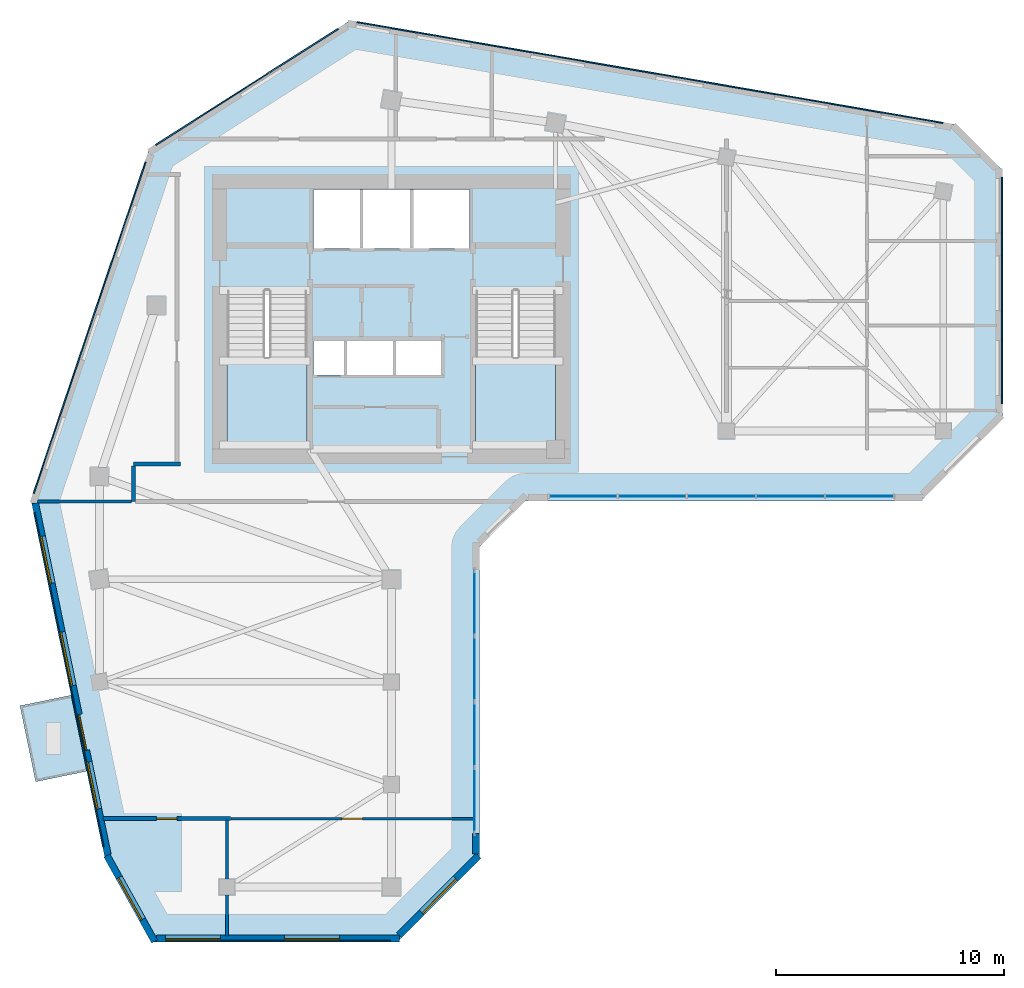
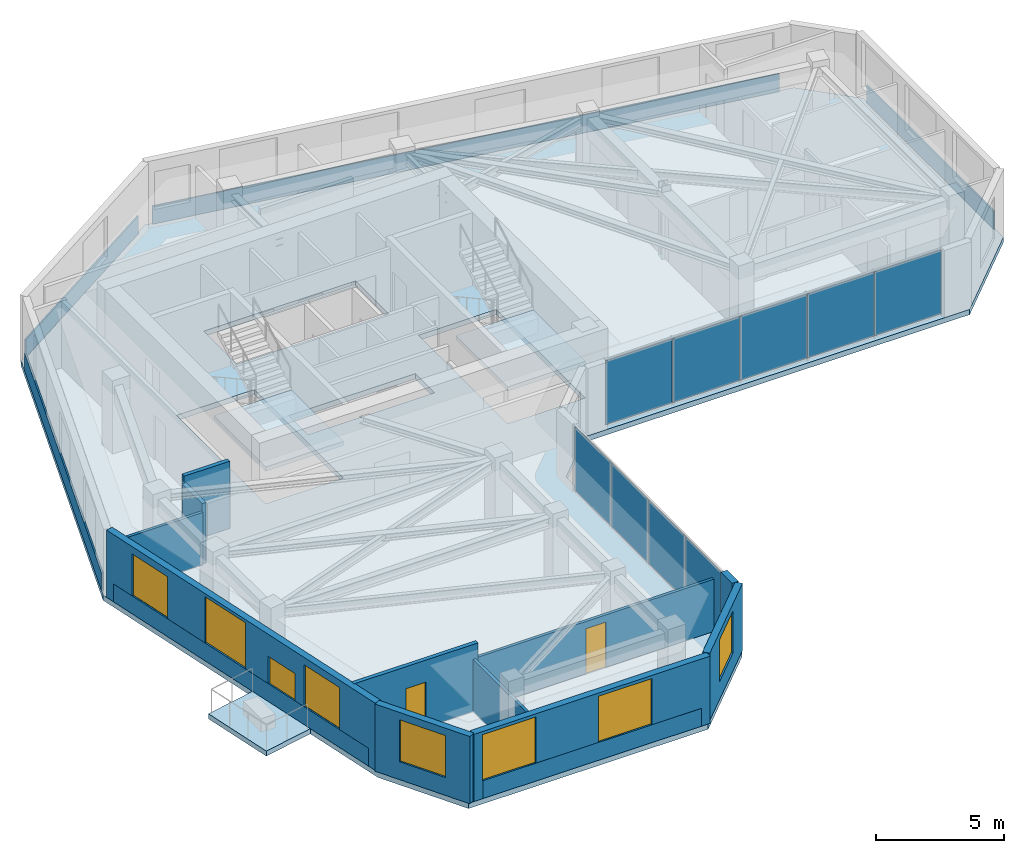
# One storey, part 4 of 10: 15 plates, 11 walls, 7 windows, 4 slabs, 3 doors, 10 openings, 4 elements without a shape of their own.
"""IFC4 building model written with IfcOpenShell, lengths in metres."""

from ifc_helpers import new_model, si_unit, direction, frame, frame_2d, origin, place, context, subcontext, project, spatial, polyline, rectangle, outline, extrude, source, transform, mapped, material, layer, layer_set, type_object, element, fill, aggregate, save


model = new_model("IFC4")

# Units and contexts
model_context = context("Model", 3, precision=1e-05, world=origin(), true_north=direction((0.0, 1.0)))
body_context = subcontext(model_context, "Body", "Model", "MODEL_VIEW")
ifc_project = project(units=[si_unit("LENGTHUNIT", "METRE"), si_unit("AREAUNIT", "SQUARE_METRE"), si_unit("VOLUMEUNIT", "CUBIC_METRE"), si_unit("PLANEANGLEUNIT", "RADIAN"), si_unit("MASSUNIT", "GRAM", prefix="KILO")], contexts=[model_context])

# Site, building, storey
site_placement = place(None, origin())
site = spatial("IfcSite", under=ifc_project, at=site_placement, CompositionType="ELEMENT")
building_placement = place(site_placement, origin())
building = spatial("IfcBuilding", under=site, at=building_placement, Name="Calvemar Wedge Station Tower", CompositionType="ELEMENT")
storey_placement = place(building_placement, frame((0.0, 0.0, 207.89990234375)))
storey = spatial("IfcBuildingStorey", under=building, at=storey_placement, Name="L52", CompositionType="ELEMENT", Elevation=207.89990234375)

# Curtain wall, plates
ifc_material_1 = material(Name="Anodised aluminium 6063-T6", Category="aluminium")
curtain_wall_type = type_object("IfcCurtainWallType", Name="CW3", PredefinedType="NOTDEFINED", material=ifc_material_1)
curtain_wall_1_placement = place(storey_placement, origin())
curtain_wall_1 = element("IfcCurtainWall", 1, at=curtain_wall_1_placement, inside=storey, type_object=curtain_wall_type, Name="Storey L52 CW3 Recessed Unitised Curtain Wall 4", PredefinedType="NOTDEFINED")
ifc_material_2 = material(Name="Low-E laminated insulated glass", Category="glass")
ifc_layer_1 = layer(ifc_material_2, 0.028076171875)
ifc_layer_set_1 = layer_set([ifc_layer_1], Name="Low-E laminated insulated glass")
plate_type_1 = type_object("IfcPlateType", Name="CW3-GLZ", PredefinedType="CURTAIN_PANEL", material=ifc_layer_set_1)
plate_1_placement = place(storey_placement, frame((27.4541015625, 17.380126953125, 0.080078125), z_axis=(0.0, 0.0, 1.0), x_axis=(0.0, 1.0, 0.0)))
plate_1 = element("IfcPlate", 2, at=plate_1_placement, type_object=plate_type_1, Name="CW3 glass panel 1", PredefinedType="CURTAIN_PANEL", context=body_context, shape_type="SweptSolid", body=[
    extrude(rectangle(XDim=2.844970703125, YDim=0.028076171875, at=frame_2d((1.42236328125, 0.0))), origin(), (0.0, 0.0, 1.0), 3.0400390625),
])
plate_2_placement = place(storey_placement, frame((27.4541015625, 20.260986328125, 0.080078125), z_axis=(0.0, 0.0, 1.0), x_axis=(0.0, 1.0, 0.0)))
plate_2 = element("IfcPlate", 3, at=plate_2_placement, type_object=plate_type_1, Name="CW3 glass panel 2", PredefinedType="CURTAIN_PANEL", context=body_context, shape_type="SweptSolid", body=[
    extrude(rectangle(XDim=2.84521484375, YDim=0.028076171875, at=frame_2d((1.422607421875, 0.0))), origin(), (0.0, 0.0, 1.0), 3.0400390625),
])
plate_3_placement = place(storey_placement, frame((27.4541015625, 23.14208984375, 0.080078125), z_axis=(0.0, 0.0, 1.0), x_axis=(0.0, 1.0, 0.0)))
plate_3 = element("IfcPlate", 4, at=plate_3_placement, type_object=plate_type_1, Name="CW3 glass panel 3", PredefinedType="CURTAIN_PANEL", context=body_context, shape_type="SweptSolid", body=[
    extrude(rectangle(XDim=2.844970703125, YDim=0.028076171875, at=frame_2d((1.42236328125, 0.0))), origin(), (0.0, 0.0, 1.0), 3.0400390625),
])
plate_4_placement = place(storey_placement, frame((27.4541015625, 26.023193359375, 0.080078125), z_axis=(0.0, 0.0, 1.0), x_axis=(0.0, 1.0, 0.0)))
plate_4 = element("IfcPlate", 5, at=plate_4_placement, type_object=plate_type_1, Name="CW3 glass panel 4", PredefinedType="CURTAIN_PANEL", context=body_context, shape_type="SweptSolid", body=[
    extrude(rectangle(XDim=2.844970703125, YDim=0.028076171875, at=frame_2d((1.42236328125, 0.0))), origin(), (0.0, 0.0, 1.0), 3.0400390625),
])
aggregate(curtain_wall_1, [plate_1, plate_2, plate_3, plate_4])

curtain_wall_2_placement = place(storey_placement, origin())
curtain_wall_2 = element("IfcCurtainWall", 6, at=curtain_wall_2_placement, inside=storey, type_object=curtain_wall_type, Name="Storey L52 CW3 Recessed Unitised Curtain Wall 6", PredefinedType="NOTDEFINED")
plate_5_placement = place(storey_placement, frame((30.719970703125, 32.134033203125, 0.080078125), z_axis=(0.0, 0.0, 1.0), x_axis=(1.0, 0.0, 0.0)))
plate_5 = element("IfcPlate", 7, at=plate_5_placement, type_object=plate_type_1, Name="CW3 glass panel 1", PredefinedType="CURTAIN_PANEL", context=body_context, shape_type="SweptSolid", body=[
    extrude(rectangle(XDim=2.9912109375, YDim=0.028076171875, at=frame_2d((1.49560546875, 0.0))), origin(), (0.0, 0.0, 1.0), 3.0400390625),
])
plate_6_placement = place(storey_placement, frame((33.7470703125, 32.134033203125, 0.080078125), z_axis=(0.0, 0.0, 1.0), x_axis=(1.0, 0.0, 0.0)))
plate_6 = element("IfcPlate", 8, at=plate_6_placement, type_object=plate_type_1, Name="CW3 glass panel 2", PredefinedType="CURTAIN_PANEL", context=body_context, shape_type="SweptSolid", body=[
    extrude(rectangle(XDim=2.9912109375, YDim=0.028076171875, at=frame_2d((1.49560546875, 0.0))), origin(), (0.0, 0.0, 1.0), 3.0400390625),
])
plate_7_placement = place(storey_placement, frame((36.7744140625, 32.134033203125, 0.080078125), z_axis=(0.0, 0.0, 1.0), x_axis=(1.0, 0.0, 0.0)))
plate_7 = element("IfcPlate", 9, at=plate_7_placement, type_object=plate_type_1, Name="CW3 glass panel 3", PredefinedType="CURTAIN_PANEL", context=body_context, shape_type="SweptSolid", body=[
    extrude(rectangle(XDim=2.990966796875, YDim=0.028076171875, at=frame_2d((1.49560546875, 0.0))), origin(), (0.0, 0.0, 1.0), 3.0400390625),
])
plate_8_placement = place(storey_placement, frame((39.801513671875, 32.134033203125, 0.080078125), z_axis=(0.0, 0.0, 1.0), x_axis=(1.0, 0.0, 0.0)))
plate_8 = element("IfcPlate", 10, at=plate_8_placement, type_object=plate_type_1, Name="CW3 glass panel 4", PredefinedType="CURTAIN_PANEL", context=body_context, shape_type="SweptSolid", body=[
    extrude(rectangle(XDim=2.9912109375, YDim=0.028076171875, at=frame_2d((1.49560546875, 0.0))), origin(), (0.0, 0.0, 1.0), 3.0400390625),
])
plate_9_placement = place(storey_placement, frame((42.82861328125, 32.134033203125, 0.080078125), z_axis=(0.0, 0.0, 1.0), x_axis=(1.0, 0.0, 0.0)))
plate_9 = element("IfcPlate", 11, at=plate_9_placement, type_object=plate_type_1, Name="CW3 glass panel 5", PredefinedType="CURTAIN_PANEL", context=body_context, shape_type="SweptSolid", body=[
    extrude(rectangle(XDim=2.9912109375, YDim=0.028076171875, at=frame_2d((1.49560546875, 0.0))), origin(), (0.0, 0.0, 1.0), 3.0400390625),
])
aggregate(curtain_wall_2, [plate_5, plate_6, plate_7, plate_8, plate_9])

# Plates
ifc_material_3 = material(Name="Precast concrete C45", Category="concrete")
ifc_layer_2 = layer(ifc_material_3, 0.06494140625)
ifc_layer_set_2 = layer_set([ifc_layer_2], Name="Precast concrete C45")
plate_type_2 = type_object("IfcPlateType", Name="PL-GFRC-FIN", PredefinedType="USERDEFINED", material=ifc_layer_set_2)
plate_10_placement = place(storey_placement, frame((13.91015625, 12.6298828125, 0.0), z_axis=(0.0, 0.0, 1.0), x_axis=(1.0, 0.0, 0.0)))
element("IfcPlate", 12, at=plate_10_placement, inside=storey, type_object=plate_type_2, Name="Storey L52 Oxidized-Bronze GFRC Spandrel Cladding 2", ObjectType="CLADDING PANEL", PredefinedType="USERDEFINED", context=body_context, shape_type="SweptSolid", body=[
    extrude(rectangle(XDim=9.841796875, YDim=0.06494140625, at=frame_2d((4.9208984375, 0.0))), origin(), (0.0, 0.0, 1.0), 0.85009765625),
])
plate_11_placement = place(storey_placement, frame((50.570068359375, 36.181396484375, 0.0), z_axis=(0.0, 0.0, 1.0), x_axis=(0.0, 1.0, 0.0)))
element("IfcPlate", 13, at=plate_11_placement, inside=storey, type_object=plate_type_2, Name="Storey L52 Oxidized-Bronze GFRC Spandrel Cladding 8", ObjectType="CLADDING PANEL", PredefinedType="USERDEFINED", context=body_context, shape_type="SweptSolid", body=[
    extrude(rectangle(XDim=9.930419921875, YDim=0.06494140625, at=frame_2d((4.96533203125, 0.0))), origin(), (0.0, 0.0, 1.0), 0.85009765625),
])
plate_12_placement = place(storey_placement, frame((47.9873046875, 48.4990234375, 0.0), z_axis=(0.0, 0.0, 1.0), x_axis=(-0.985523911085, 0.169536487755, 0.0)))
element("IfcPlate", 14, at=plate_12_placement, inside=storey, type_object=plate_type_2, Name="Storey L52 Oxidized-Bronze GFRC Spandrel Cladding 10", ObjectType="CLADDING PANEL", PredefinedType="USERDEFINED", context=body_context, shape_type="SweptSolid", body=[
    extrude(rectangle(XDim=26.06640625, YDim=0.06494140625, at=frame_2d((13.033203125, 0.0))), origin(), (0.0, 0.0, 1.0), 0.85009765625),
])
plate_13_placement = place(storey_placement, frame((21.472412109375, 52.62890625, 0.0), z_axis=(0.0, 0.0, 1.0), x_axis=(-0.843653007287, -0.536888818375, 0.0)))
element("IfcPlate", 15, at=plate_13_placement, inside=storey, type_object=plate_type_2, Name="Storey L52 Oxidized-Bronze GFRC Spandrel Cladding 11", ObjectType="CLADDING PANEL", PredefinedType="USERDEFINED", context=body_context, shape_type="SweptSolid", body=[
    extrude(rectangle(XDim=9.4833984375, YDim=0.06494140625, at=frame_2d((4.74169921875, 0.0))), origin(), (0.0, 0.0, 1.0), 0.85009765625),
])
plate_14_placement = place(storey_placement, frame((13.02685546875, 46.793212890625, 0.0), z_axis=(0.0, 0.0, 1.0), x_axis=(-0.319927299225, -0.947442094912, 0.0)))
element("IfcPlate", 16, at=plate_14_placement, inside=storey, type_object=plate_type_2, Name="Storey L52 Oxidized-Bronze GFRC Spandrel Cladding 12", ObjectType="CLADDING PANEL", PredefinedType="USERDEFINED", context=body_context, shape_type="SweptSolid", body=[
    extrude(rectangle(XDim=15.333251953125, YDim=0.06494140625, at=frame_2d((7.66650390625, 0.0))), origin(), (0.0, 0.0, 1.0), 0.85009765625),
])
plate_15_placement = place(storey_placement, frame((8.15087890625, 31.41796875, 0.0), z_axis=(0.0, 0.0, 1.0), x_axis=(0.202320768525, -0.979319307797, 0.0)))
element("IfcPlate", 17, at=plate_15_placement, inside=storey, type_object=plate_type_2, Name="Storey L52 Oxidized-Bronze GFRC Spandrel Cladding 13", ObjectType="CLADDING PANEL", PredefinedType="USERDEFINED", context=body_context, shape_type="SweptSolid", body=[
    extrude(rectangle(XDim=14.965576171875, YDim=0.06494140625, at=frame_2d((7.48291015625, 0.0))), origin(), (0.0, 0.0, 1.0), 0.85009765625),
])

# Stair, slab
ifc_material_4 = material(Name="Concrete C45", Category="concrete")
stair_type = type_object("IfcStairType", Name="ST-TYPE-3500", PredefinedType="HALF_TURN_STAIR", material=ifc_material_4)
stair_1_placement = place(storey_placement, origin())
stair_1 = element("IfcStair", 18, at=stair_1_placement, inside=storey, type_object=stair_type, Name="L52 Pressurized Core Exit Stair ST-C1", PredefinedType="HALF_TURN_STAIR")
ifc_layer_3 = layer(ifc_material_4, 0.199951171875)
ifc_layer_set_3 = layer_set([ifc_layer_3], Name="Concrete C45")
slab_type_1 = type_object("IfcSlabType", Name="SL-STAIR-LND-200", PredefinedType="LANDING", material=ifc_layer_set_3)
slab_1_placement = place(storey_placement, frame((0.0, 0.0, 1.550048828125)))
slab_1 = element("IfcSlab", 19, at=slab_1_placement, type_object=slab_type_1, Name="ST-C1 landing 1", PredefinedType="LANDING", context=body_context, shape_type="SweptSolid", body=[
    extrude(outline(polyline([(16.60009765625, 38.25), (16.60009765625, 34.199951171875), (20.10009765625, 34.199951171875), (20.10009765625, 38.25), (16.60009765625, 38.25)])), origin(), (0.0, 0.0, 1.0), 0.199951171875),
])
aggregate(stair_1, [slab_1])

stair_2_placement = place(storey_placement, origin())
stair_2 = element("IfcStair", 20, at=stair_2_placement, inside=storey, type_object=stair_type, Name="L52 Pressurized Core Exit Stair ST-C2", PredefinedType="HALF_TURN_STAIR")
slab_2_placement = place(storey_placement, frame((0.0, 0.0, 1.550048828125)))
slab_2 = element("IfcSlab", 21, at=slab_2_placement, type_object=slab_type_1, Name="ST-C2 landing 1", PredefinedType="LANDING", context=body_context, shape_type="SweptSolid", body=[
    extrude(outline(polyline([(27.5, 38.25), (27.5, 34.199951171875), (31.0, 34.199951171875), (31.0, 38.25), (27.5, 38.25)])), origin(), (0.0, 0.0, 1.0), 0.199951171875),
])
aggregate(stair_2, [slab_2])

# Slabs
ifc_layer_4 = layer(ifc_material_4, 0.239990234375)
ifc_layer_set_4 = layer_set([ifc_layer_4], Name="Concrete C45")
slab_type_2 = type_object("IfcSlabType", Name="SL-TERR-240", PredefinedType="FLOOR", material=ifc_layer_set_4)
slab_3_placement = place(storey_placement, frame((0.0, 0.0, -0.239990234375)))
element("IfcSlab", 22, at=slab_3_placement, inside=storey, type_object=slab_type_2, Name="Storey L52 Planted Spiral Terrace Slab", PredefinedType="FLOOR", context=body_context, shape_type="SweptSolid", body=[
    extrude(outline(polyline([(9.77392578125, 23.4150390625), (7.52197265625, 22.949951171875), (8.208984375, 19.6201171875), (10.4609375, 20.0849609375), (9.77392578125, 23.4150390625)])), origin(), (0.0, 0.0, 1.0), 0.239990234375),
])
ifc_material_5 = material(Name="Concrete C50", Category="concrete")
ifc_layer_5 = layer(ifc_material_5, 0.25)
ifc_layer_set_5 = layer_set([ifc_layer_5], Name="Concrete C50")
slab_type_3 = type_object("IfcSlabType", Name="SL-TYP-250", PredefinedType="FLOOR", material=ifc_layer_set_5)
slab_4_placement = place(storey_placement, frame((0.0, 0.0, -0.25)))
element("IfcSlab", 23, at=slab_4_placement, inside=storey, type_object=slab_type_3, Name="Storey L52 Structural Floor Slab", PredefinedType="FLOOR", context=body_context, shape_type="SweptSolid", body=[
    extrude(outline(polyline([(8.0, 32.0), (11.263916015625, 16.199951171875), (13.263916015625, 12.60009765625), (24.06396484375, 12.60009765625), (27.6640625, 16.199951171875), (27.6640625, 29.924072265625), (29.6640625, 31.924072265625), (47.0, 31.924072265625), (50.60009765625, 35.52392578125), (50.60009765625, 46.424072265625), (48.60009765625, 48.424072265625), (22.0, 53.0), (13.199951171875, 47.39990234375), (8.0, 32.0)]), holes=[polyline([(20.10009765625, 34.199951171875), (20.10009765625, 41.14990234375), (16.60009765625, 41.14990234375), (16.60009765625, 34.199951171875), (20.10009765625, 34.199951171875)]), polyline([(27.5, 34.199951171875), (31.0, 34.199951171875), (31.0, 41.14990234375), (27.5, 41.14990234375), (27.5, 34.199951171875)]), polyline([(21.800048828125, 37.449951171875), (23.929931640625, 37.449951171875), (23.93994140625, 37.449951171875), (26.080078125, 37.449951171875), (26.080078125, 38.949951171875), (23.93994140625, 38.949951171875), (23.929931640625, 38.949951171875), (21.800048828125, 38.949951171875), (21.7900390625, 38.949951171875), (20.3798828125, 38.949951171875), (20.3798828125, 37.449951171875), (21.7900390625, 37.449951171875), (21.800048828125, 37.449951171875)]), polyline([(27.219970703125, 43.0), (27.219970703125, 45.580078125), (20.3798828125, 45.580078125), (20.3798828125, 43.0), (27.219970703125, 43.0)])]), origin(), (0.0, 0.0, 1.0), 0.25),
])

# Walls
ifc_material_6 = material(Name="Double-stud fire-rated corridor partition")
ifc_layer_6 = layer(ifc_material_6, 0.179931640625)
ifc_layer_set_6 = layer_set([ifc_layer_6], Name="Double-stud fire-rated corridor partition")
wall_type_1 = type_object("IfcWallType", Name="W-CORR-180", PredefinedType="PARTITIONING", material=ifc_layer_set_6)
wall_1_placement = place(storey_placement, frame((12.5, 33.550048828125, 0.0), z_axis=(0.0, 0.0, 1.0), x_axis=(1.0, 0.0, 0.0)))
element("IfcWall", 24, at=wall_1_placement, inside=storey, type_object=wall_type_1, Name="Storey L52 Interior Partition WL-L52-008", PredefinedType="PARTITIONING", context=body_context, shape_type="SweptSolid", body=[
    extrude(rectangle(XDim=2.06005859375, YDim=0.179931640625, at=frame_2d((1.030029296875, 0.0))), origin(), (0.0, 0.0, 1.0), 3.2001953125),
])
wall_2_placement = place(storey_placement, frame((12.5, 31.89990234375, 0.0), z_axis=(0.0, 0.0, 1.0), x_axis=(0.0, 1.0, 0.0)))
element("IfcWall", 25, at=wall_2_placement, inside=storey, type_object=wall_type_1, Name="Storey L52 Interior Partition WL-L52-009", PredefinedType="PARTITIONING", context=body_context, shape_type="SweptSolid", body=[
    extrude(rectangle(XDim=1.55615234375, YDim=0.179931640625, at=frame_2d((0.778076171875, 0.0))), origin(), (0.0, 0.0, 1.0), 2.869140625),
])

# Wall, opening, door
wall_3_placement = place(storey_placement, frame((16.760009765625, 18.0, 0.0), z_axis=(0.0, 0.0, 1.0), x_axis=(-1.0, 0.0, 0.0)))
wall_3 = element("IfcWall", 26, at=wall_3_placement, inside=storey, type_object=wall_type_1, Name="Storey L52 Interior Partition WL-L52-035", PredefinedType="PARTITIONING", context=body_context, shape_type="SweptSolid", body=[
    extrude(rectangle(XDim=5.597412109375, YDim=0.179931640625, at=frame_2d((2.798828125, 0.0))), origin(), (0.0, 0.0, 1.0), 3.2001953125),
])
shared_shape_1 = source(origin(), body_context, "Body", "SweptSolid", [
    extrude(rectangle(XDim=0.89990234375, YDim=2.14990234375, at=frame_2d((0.449951171875, 1.074951171875))), frame((0.0, 0.10009765625, 0.0), z_axis=(0.0, -1.0, 0.0), x_axis=(1.0, 0.0, 0.0)), (0.0, 0.0, 1.0), 0.199951171875),
])
opening_1_placement = place(wall_3_placement, frame((2.3486328125, 0.0, 0.0)))
opening_1 = element("IfcOpeningElement", 27, at=opening_1_placement, cuts=wall_3, Name="Opening FD-60", PredefinedType="OPENING", context=body_context, shape_type="MappedRepresentation", body=[
    mapped(shared_shape_1, transform((0.0, 0.0, 0.0), scale=1.0)),
])
ifc_material_7 = material(Name="Fire-rated acoustic timber-core entrance door EI 60", Category="wood")
door_type_1 = type_object("IfcDoorType", Name="DR-FD60-900", OperationType="NOTDEFINED", PredefinedType="DOOR", material=ifc_material_7)
shared_shape_2 = source(origin(), body_context, "Body", "SweptSolid", [
    extrude(rectangle(XDim=0.89990234375, YDim=2.14990234375, at=frame_2d((0.449951171875, 1.074951171875))), frame((0.0, 0.02490234375, 0.0), z_axis=(0.0, -1.0, 0.0), x_axis=(1.0, 0.0, 0.0)), (0.0, 0.0, 1.0), 0.050048828125),
])
door_1_placement = place(opening_1_placement, origin())
door_1 = element("IfcDoor", 28, at=door_1_placement, inside=storey, type_object=door_type_1, Name="L52 Communal Banquet Kitchen Door", OperationType="SINGLE_SWING_LEFT", OverallHeight=2.14990234375, OverallWidth=0.89990234375, PredefinedType="DOOR", context=body_context, shape_type="MappedRepresentation", body=[
    mapped(shared_shape_2, transform((0.0, 0.0, 0.0), scale=1.0)),
])
fill(opening_1, door_1)

# Wall, opening, window
ifc_layer_7 = layer(ifc_material_3, 0.300048828125)
ifc_layer_set_7 = layer_set([ifc_layer_7], Name="Precast concrete C45")
wall_type_2 = type_object("IfcWallType", Name="W-EXT-GFRC-300", PredefinedType="SOLIDWALL", material=ifc_layer_set_7)
wall_4_placement = place(storey_placement, frame((11.33349609375, 16.3837890625, 0.0), z_axis=(0.0, 0.0, 1.0), x_axis=(0.485633305139, -0.874162623852, 0.0)))
wall_4 = element("IfcWall", 29, at=wall_4_placement, inside=storey, type_object=wall_type_2, Name="Storey L52 Bronze GFRC Exterior Wall 1", PredefinedType="SOLIDWALL", context=body_context, shape_type="SweptSolid", body=[
    extrude(rectangle(XDim=4.306884765625, YDim=0.300048828125, at=frame_2d((2.1533203125, 0.0))), origin(), (0.0, 0.0, 1.0), 3.2001953125),
])
shared_shape_3 = source(origin(), body_context, "Body", "SweptSolid", [
    extrude(rectangle(XDim=2.10009765625, YDim=2.0, at=frame_2d((1.050048828125, 1.0))), frame((0.0, 0.16015625, 0.0), z_axis=(0.0, -1.0, 0.0), x_axis=(1.0, 0.0, 0.0)), (0.0, 0.0, 1.0), 0.320068359375),
])
opening_2_placement = place(wall_4_placement, frame((1.10400390625, 0.0, 0.85009765625)))
opening_2 = element("IfcOpeningElement", 30, at=opening_2_placement, cuts=wall_4, Name="Opening W4", PredefinedType="OPENING", context=body_context, shape_type="MappedRepresentation", body=[
    mapped(shared_shape_3, transform((0.0, 0.0, 0.0), scale=1.0)),
])
window_type_1 = type_object("IfcWindowType", Name="WIN-EXT-4", PartitioningType="SINGLE_PANEL", PredefinedType="WINDOW", material=ifc_material_2)
shared_shape_4 = source(origin(), body_context, "Body", "SweptSolid", [
    extrude(rectangle(XDim=2.10009765625, YDim=2.0, at=frame_2d((1.050048828125, 1.0))), frame((0.0, -0.014892578125, 0.0), z_axis=(0.0, -1.0, 0.0), x_axis=(1.0, 0.0, 0.0)), (0.0, 0.0, 1.0), 0.06005859375),
])
window_1_placement = place(opening_2_placement, origin())
window_1 = element("IfcWindow", 31, at=window_1_placement, inside=storey, type_object=window_type_1, Name="Storey L52 Recessed Window 1.1", OverallHeight=2.0, OverallWidth=2.10009765625, PartitioningType="SINGLE_PANEL", PredefinedType="WINDOW", context=body_context, shape_type="MappedRepresentation", body=[
    mapped(shared_shape_4, transform((0.0, 0.0, 0.0), scale=1.0)),
])
fill(opening_2, window_1)

# Wall, openings, windows
wall_5_placement = place(storey_placement, frame((13.510009765625, 12.75, 0.0), z_axis=(0.0, 0.0, 1.0), x_axis=(1.0, 0.0, 0.0)))
wall_5 = element("IfcWall", 32, at=wall_5_placement, inside=storey, type_object=wall_type_2, Name="Storey L52 Bronze GFRC Exterior Wall 2", PredefinedType="SOLIDWALL", context=body_context, shape_type="SweptSolid", body=[
    extrude(rectangle(XDim=10.641845703125, YDim=0.300048828125, at=frame_2d((5.32080078125, 0.0))), origin(), (0.0, 0.0, 1.0), 3.2001953125),
])
shared_shape_5 = source(origin(), body_context, "Body", "SweptSolid", [
    extrude(rectangle(XDim=2.39990234375, YDim=2.199951171875, at=frame_2d((1.199951171875, 1.10009765625))), frame((0.0, 0.16015625, 0.0), z_axis=(0.0, -1.0, 0.0), x_axis=(1.0, 0.0, 0.0)), (0.0, 0.0, 1.0), 0.320068359375),
])
opening_3_placement = place(wall_5_placement, frame((0.39501953125, 0.0, 0.85009765625)))
opening_3 = element("IfcOpeningElement", 33, at=opening_3_placement, cuts=wall_5, Name="Opening W1", PredefinedType="OPENING", context=body_context, shape_type="MappedRepresentation", body=[
    mapped(shared_shape_5, transform((0.0, 0.0, 0.0), scale=1.0)),
])
opening_4_placement = place(wall_5_placement, frame((5.615966796875, 0.0, 0.85009765625)))
opening_4 = element("IfcOpeningElement", 34, at=opening_4_placement, cuts=wall_5, Name="Opening W1", PredefinedType="OPENING", context=body_context, shape_type="MappedRepresentation", body=[
    mapped(shared_shape_5, transform((0.0, 0.0, 0.0), scale=1.0)),
])
window_type_2 = type_object("IfcWindowType", Name="WIN-EXT-1", PartitioningType="SINGLE_PANEL", PredefinedType="WINDOW", material=ifc_material_2)
shared_shape_6 = source(origin(), body_context, "Body", "SweptSolid", [
    extrude(rectangle(XDim=2.39990234375, YDim=2.199951171875, at=frame_2d((1.199951171875, 1.10009765625))), frame((0.0, -0.014892578125, 0.0), z_axis=(0.0, -1.0, 0.0), x_axis=(1.0, 0.0, 0.0)), (0.0, 0.0, 1.0), 0.06005859375),
])
window_2_placement = place(opening_3_placement, origin())
window_2 = element("IfcWindow", 35, at=window_2_placement, inside=storey, type_object=window_type_2, Name="Storey L52 Recessed Window 2.1", OverallHeight=2.199951171875, OverallWidth=2.39990234375, PartitioningType="SINGLE_PANEL", PredefinedType="WINDOW", context=body_context, shape_type="MappedRepresentation", body=[
    mapped(shared_shape_6, transform((0.0, 0.0, 0.0), scale=1.0)),
])
fill(opening_3, window_2)
window_3_placement = place(opening_4_placement, origin())
window_3 = element("IfcWindow", 36, at=window_3_placement, inside=storey, type_object=window_type_2, Name="Storey L52 Recessed Window 2.2", OverallHeight=2.199951171875, OverallWidth=2.39990234375, PartitioningType="SINGLE_PANEL", PredefinedType="WINDOW", context=body_context, shape_type="MappedRepresentation", body=[
    mapped(shared_shape_6, transform((0.0, 0.0, 0.0), scale=1.0)),
])
fill(opening_4, window_3)

# Wall, opening, window
wall_6_placement = place(storey_placement, frame((24.139892578125, 12.887939453125, 0.0), z_axis=(0.0, 0.0, 1.0), x_axis=(0.707106781187, 0.707106781187, 0.0)))
wall_6 = element("IfcWall", 37, at=wall_6_placement, inside=storey, type_object=wall_type_2, Name="Storey L52 Bronze GFRC Exterior Wall 3", PredefinedType="SOLIDWALL", context=body_context, shape_type="SweptSolid", body=[
    extrude(rectangle(XDim=4.921875, YDim=0.300048828125, at=frame_2d((2.4609375, 0.0))), origin(), (0.0, 0.0, 1.0), 3.2001953125),
])
opening_5_placement = place(wall_6_placement, frame((1.410888671875, 0.0, 0.85009765625)))
opening_5 = element("IfcOpeningElement", 38, at=opening_5_placement, cuts=wall_6, Name="Opening W4", PredefinedType="OPENING", context=body_context, shape_type="MappedRepresentation", body=[
    mapped(shared_shape_3, transform((0.0, 0.0, 0.0), scale=1.0)),
])
window_4_placement = place(opening_5_placement, origin())
window_4 = element("IfcWindow", 39, at=window_4_placement, inside=storey, type_object=window_type_1, Name="Storey L52 Recessed Window 3.1", OverallHeight=2.0, OverallWidth=2.10009765625, PartitioningType="SINGLE_PANEL", PredefinedType="WINDOW", context=body_context, shape_type="MappedRepresentation", body=[
    mapped(shared_shape_4, transform((0.0, 0.0, 0.0), scale=1.0)),
])
fill(opening_5, window_4)

# Wall
wall_7_placement = place(storey_placement, frame((27.513916015625, 16.457275390625, 0.0), z_axis=(0.0, 0.0, 1.0), x_axis=(0.0, 1.0, 0.0)))
element("IfcWall", 40, at=wall_7_placement, inside=storey, type_object=wall_type_2, Name="Storey L52 Bronze GFRC Corner Pier 4A", PredefinedType="SOLIDWALL", context=body_context, shape_type="SweptSolid", body=[
    extrude(rectangle(XDim=0.88232421875, YDim=0.300048828125, at=frame_2d((0.441162109375, 0.0))), origin(), (0.0, 0.0, 1.0), 3.2001953125),
])

# Wall, openings, windows, door
wall_8_placement = place(storey_placement, frame((8.1875, 31.833984375, 0.0), z_axis=(0.0, 0.0, 1.0), x_axis=(0.202303475707, -0.979322880217, 0.0)))
wall_8 = element("IfcWall", 41, at=wall_8_placement, inside=storey, type_object=wall_type_2, Name="Storey L52 Bronze GFRC Exterior Wall 13", PredefinedType="SOLIDWALL", context=body_context, shape_type="SweptSolid", body=[
    extrude(rectangle(XDim=15.765625, YDim=0.300048828125, at=frame_2d((7.8828125, 0.0))), origin(), (0.0, 0.0, 1.0), 3.2001953125),
])
shared_shape_7 = source(origin(), body_context, "Body", "SweptSolid", [
    extrude(rectangle(XDim=1.60009765625, YDim=2.14990234375, at=frame_2d((0.800048828125, 1.074951171875))), frame((0.0, 0.16015625, 0.0), z_axis=(0.0, -1.0, 0.0), x_axis=(1.0, 0.0, 0.0)), (0.0, 0.0, 1.0), 0.320068359375),
])
opening_6_placement = place(wall_8_placement, frame((9.466064453125, 0.0, 0.0)))
opening_6 = element("IfcOpeningElement", 42, at=opening_6_placement, cuts=wall_8, Name="Opening DT1", PredefinedType="OPENING", context=body_context, shape_type="MappedRepresentation", body=[
    mapped(shared_shape_7, transform((0.0, 0.0, 0.0), scale=1.0)),
])
opening_7_placement = place(wall_8_placement, frame((1.487060546875, 0.0, 0.85009765625)))
opening_7 = element("IfcOpeningElement", 43, at=opening_7_placement, cuts=wall_8, Name="Opening W4", PredefinedType="OPENING", context=body_context, shape_type="MappedRepresentation", body=[
    mapped(shared_shape_3, transform((0.0, 0.0, 0.0), scale=1.0)),
])
opening_8_placement = place(wall_8_placement, frame((5.76904296875, 0.0, 0.85009765625)))
opening_8 = element("IfcOpeningElement", 44, at=opening_8_placement, cuts=wall_8, Name="Opening W1", PredefinedType="OPENING", context=body_context, shape_type="MappedRepresentation", body=[
    mapped(shared_shape_5, transform((0.0, 0.0, 0.0), scale=1.0)),
])
opening_9_placement = place(wall_8_placement, frame((11.587890625, 0.0, 0.85009765625)))
opening_9 = element("IfcOpeningElement", 45, at=opening_9_placement, cuts=wall_8, Name="Opening W4", PredefinedType="OPENING", context=body_context, shape_type="MappedRepresentation", body=[
    mapped(shared_shape_3, transform((0.0, 0.0, 0.0), scale=1.0)),
])
window_5_placement = place(opening_7_placement, origin())
window_5 = element("IfcWindow", 46, at=window_5_placement, inside=storey, type_object=window_type_1, Name="Storey L52 Recessed Window 13.1", OverallHeight=2.0, OverallWidth=2.10009765625, PartitioningType="SINGLE_PANEL", PredefinedType="WINDOW", context=body_context, shape_type="MappedRepresentation", body=[
    mapped(shared_shape_4, transform((0.0, 0.0, 0.0), scale=1.0)),
])
fill(opening_7, window_5)
window_6_placement = place(opening_9_placement, origin())
window_6 = element("IfcWindow", 47, at=window_6_placement, inside=storey, type_object=window_type_1, Name="Storey L52 Recessed Window 13.3", OverallHeight=2.0, OverallWidth=2.10009765625, PartitioningType="SINGLE_PANEL", PredefinedType="WINDOW", context=body_context, shape_type="MappedRepresentation", body=[
    mapped(shared_shape_4, transform((0.0, 0.0, 0.0), scale=1.0)),
])
fill(opening_9, window_6)
window_7_placement = place(opening_8_placement, origin())
window_7 = element("IfcWindow", 48, at=window_7_placement, inside=storey, type_object=window_type_2, Name="Storey L52 Recessed Window 13.2", OverallHeight=2.199951171875, OverallWidth=2.39990234375, PartitioningType="SINGLE_PANEL", PredefinedType="WINDOW", context=body_context, shape_type="MappedRepresentation", body=[
    mapped(shared_shape_6, transform((0.0, 0.0, 0.0), scale=1.0)),
])
fill(opening_8, window_7)
door_type_2 = type_object("IfcDoorType", Name="DR-TERR-1600", OperationType="DOUBLE_DOOR_SLIDING", PredefinedType="DOOR", material=ifc_material_1)
shared_shape_8 = source(origin(), body_context, "Body", "SweptSolid", [
    extrude(rectangle(XDim=1.60009765625, YDim=2.14990234375, at=frame_2d((0.800048828125, 1.074951171875))), frame((0.0, 0.02490234375, 0.0), z_axis=(0.0, -1.0, 0.0), x_axis=(1.0, 0.0, 0.0)), (0.0, 0.0, 1.0), 0.050048828125),
])
door_2_placement = place(opening_6_placement, origin())
door_2 = element("IfcDoor", 49, at=door_2_placement, inside=storey, type_object=door_type_2, Name="Storey L52 Spiral Terrace Door", OperationType="DOUBLE_DOOR_SLIDING", OverallHeight=2.14990234375, OverallWidth=1.60009765625, PredefinedType="DOOR", context=body_context, shape_type="MappedRepresentation", body=[
    mapped(shared_shape_8, transform((0.0, 0.0, 0.0), scale=1.0)),
])
fill(opening_6, door_2)

# Wall
ifc_material_8 = material(Name="Insulated acoustic gypsum stud partition")
ifc_layer_8 = layer(ifc_material_8, 0.125)
ifc_layer_set_8 = layer_set([ifc_layer_8], Name="Insulated acoustic gypsum stud partition")
wall_type_3 = type_object("IfcWallType", Name="W-PART-125", PredefinedType="PARTITIONING", material=ifc_layer_set_8)
wall_9_placement = place(storey_placement, frame((12.406005859375, 31.89990234375, 0.0), z_axis=(0.0, 0.0, 1.0), x_axis=(-1.0, 0.0, 0.0)))
element("IfcWall", 50, at=wall_9_placement, inside=storey, type_object=wall_type_3, Name="Storey L52 Interior Partition WL-L52-016", PredefinedType="PARTITIONING", context=body_context, shape_type="SweptSolid", body=[
    extrude(rectangle(XDim=4.11474609375, YDim=0.125, at=frame_2d((2.057373046875, 0.0))), origin(), (0.0, 0.0, 1.0), 2.4921875),
])

# Wall, opening, door
wall_10_placement = place(storey_placement, frame((27.39892578125, 18.0, 0.0), z_axis=(0.0, 0.0, 1.0), x_axis=(-1.0, 0.0, 0.0)))
wall_10 = element("IfcWall", 51, at=wall_10_placement, inside=storey, type_object=wall_type_3, Name="Storey L52 Interior Partition WL-L52-036", PredefinedType="PARTITIONING", context=body_context, shape_type="SweptSolid", body=[
    extrude(rectangle(XDim=10.636962890625, YDim=0.125, at=frame_2d((5.318359375, 0.0))), origin(), (0.0, 0.0, 1.0), 2.4921875),
])
shared_shape_9 = source(origin(), body_context, "Body", "SweptSolid", [
    extrude(rectangle(XDim=0.89990234375, YDim=2.14990234375, at=frame_2d((0.449951171875, 1.074951171875))), frame((0.0, 0.072509765625, 0.0), z_axis=(0.0, -1.0, 0.0), x_axis=(1.0, 0.0, 0.0)), (0.0, 0.0, 1.0), 0.14501953125),
])
opening_10_placement = place(wall_10_placement, frame((4.868408203125, 0.0, 0.0)))
opening_10 = element("IfcOpeningElement", 52, at=opening_10_placement, cuts=wall_10, Name="Opening D-01", PredefinedType="OPENING", context=body_context, shape_type="MappedRepresentation", body=[
    mapped(shared_shape_9, transform((0.0, 0.0, 0.0), scale=1.0)),
])
ifc_material_9 = material(Name="Architectural hardwood acoustic swing door", Category="wood")
door_type_3 = type_object("IfcDoorType", Name="DR-INT-900", OperationType="NOTDEFINED", PredefinedType="DOOR", material=ifc_material_9)
shared_shape_10 = source(origin(), body_context, "Body", "SweptSolid", [
    extrude(rectangle(XDim=0.89990234375, YDim=2.14990234375, at=frame_2d((0.449951171875, 1.074951171875))), frame((0.0, 0.02490234375, 0.0), z_axis=(0.0, -1.0, 0.0), x_axis=(1.0, 0.0, 0.0)), (0.0, 0.0, 1.0), 0.050048828125),
])
door_3_placement = place(opening_10_placement, origin())
door_3 = element("IfcDoor", 53, at=door_3_placement, inside=storey, type_object=door_type_3, Name="L52 Resident Screening Salon Door", OperationType="SINGLE_SWING_RIGHT", OverallHeight=2.14990234375, OverallWidth=0.89990234375, PredefinedType="DOOR", context=body_context, shape_type="MappedRepresentation", body=[
    mapped(shared_shape_10, transform((0.0, 0.0, 0.0), scale=1.0)),
])
fill(opening_10, door_3)

# Wall
wall_11_placement = place(storey_placement, frame((16.60009765625, 17.93359375, 0.0), z_axis=(0.0, 0.0, 1.0), x_axis=(0.0, -1.0, 0.0)))
element("IfcWall", 54, at=wall_11_placement, inside=storey, type_object=wall_type_3, Name="Storey L52 Interior Partition WL-L52-037", PredefinedType="PARTITIONING", context=body_context, shape_type="SweptSolid", body=[
    extrude(rectangle(XDim=5.068603515625, YDim=0.125, at=frame_2d((2.5341796875, 0.0))), origin(), (0.0, 0.0, 1.0), 2.4921875),
])

save(model, "model.ifc")
